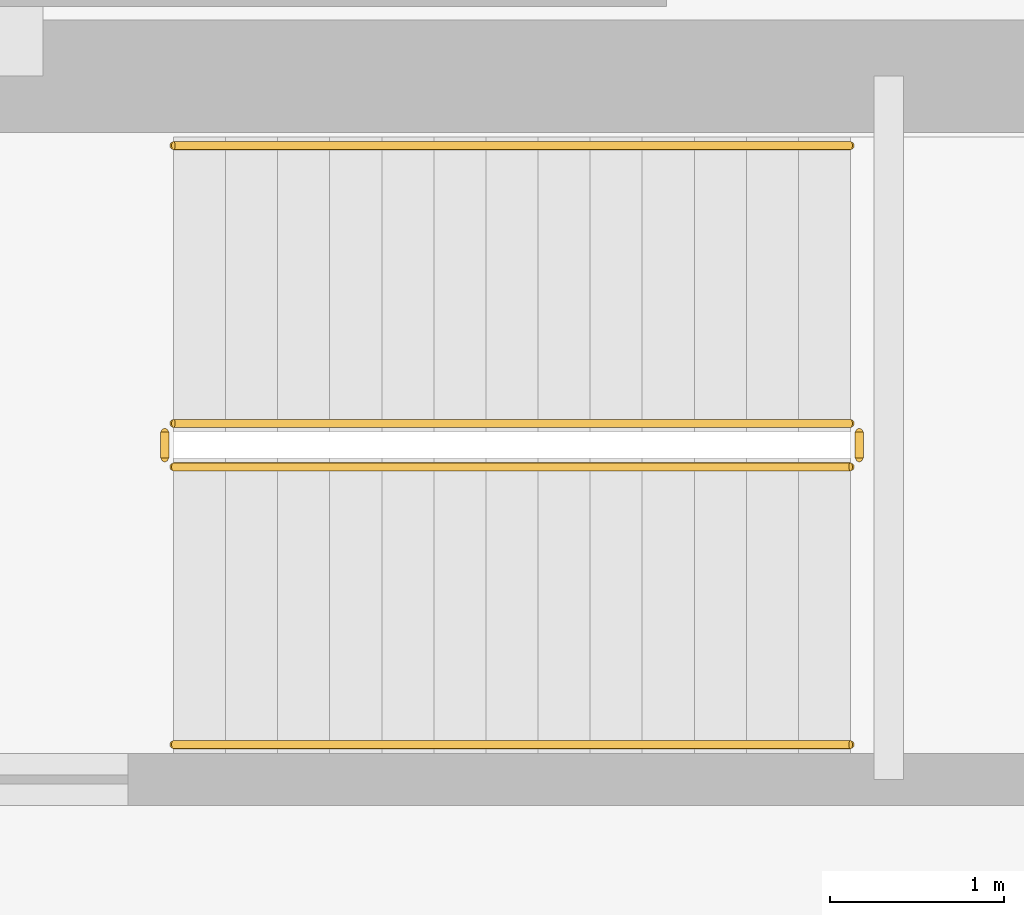
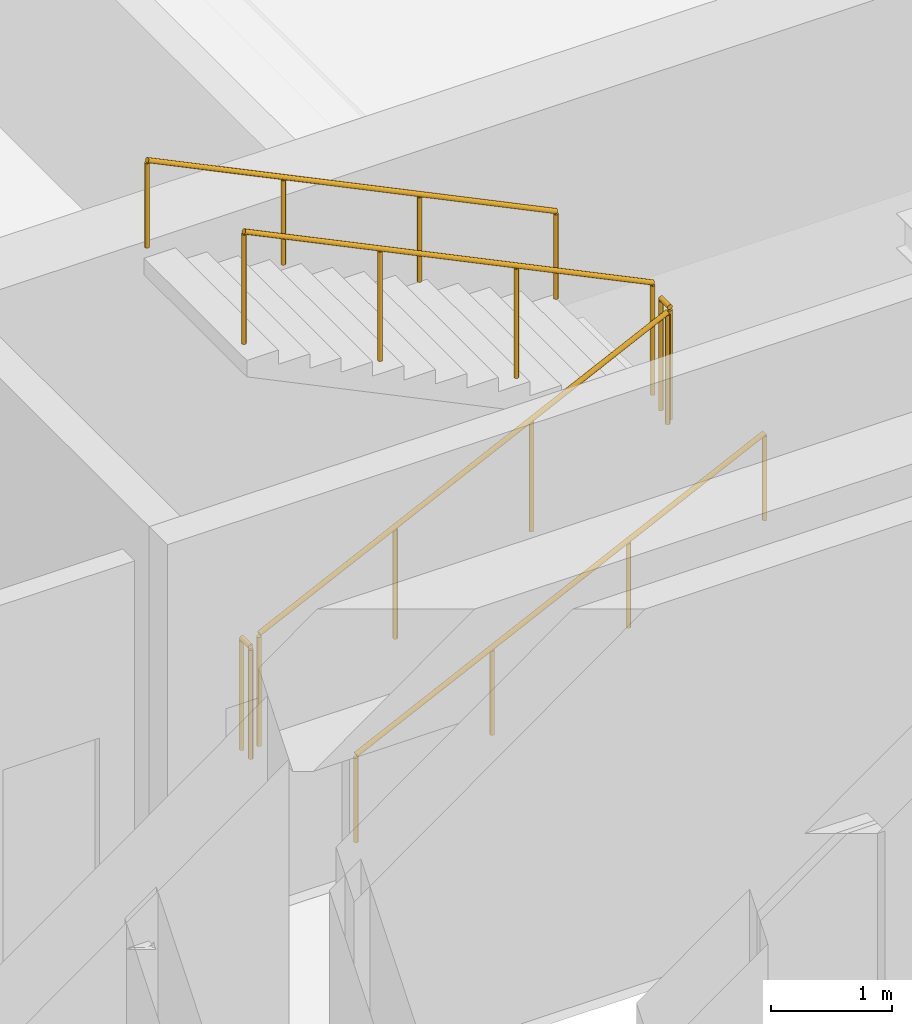
# One storey, part 42 of 47: 6 railings.
"""IFC4 building model written with IfcOpenShell, lengths in metres."""

from ifc_helpers import new_model, si_unit, direction, frame, origin, origin_2d, place, context, subcontext, project, spatial, circle, extrude, material, type_object, element, save


model = new_model("IFC4")

# Units and contexts
model_context = context("Model", 3, precision=1e-05, world=origin(), true_north=direction((0.0, 1.0)))
body_context = subcontext(model_context, "Body", "Model", "MODEL_VIEW")
ifc_project = project(units=[si_unit("LENGTHUNIT", "METRE"), si_unit("AREAUNIT", "SQUARE_METRE"), si_unit("VOLUMEUNIT", "CUBIC_METRE"), si_unit("PLANEANGLEUNIT", "RADIAN"), si_unit("MASSUNIT", "GRAM", prefix="KILO")], contexts=[model_context])

# Site, building, storey
site_placement = place(None, origin())
site = spatial("IfcSite", under=ifc_project, at=site_placement, CompositionType="ELEMENT")
building_placement = place(site_placement, origin())
building = spatial("IfcBuilding", under=site, at=building_placement, Name="Punatoya Terracotta Tower", CompositionType="ELEMENT")
storey_placement = place(building_placement, frame((0.0, 0.0, 168.14990234375)))
storey = spatial("IfcBuildingStorey", under=building, at=storey_placement, Name="L39", CompositionType="ELEMENT", Elevation=168.14990234375)

# Railings
ifc_material = material(Name="Steel S355", Category="steel")
railing_type_1 = type_object("IfcRailingType", Name="RLG-GRD-1150", PredefinedType="GUARDRAIL", material=ifc_material)
railing_1_placement = place(storey_placement, frame((-2.89990234375, 6.949951171875, 0.144775390625)))
element("IfcRailing", 1, at=railing_1_placement, inside=storey, type_object=railing_type_1, Name="L39 ST-3 stair guard 1", PredefinedType="GUARDRAIL", context=body_context, shape_type="SweptSolid", body=[
    extrude(circle(Radius=0.02392578125, at=origin_2d()), frame((0.0, 0.0, 1.1259765625), z_axis=(0.900763166376, 0.0, 0.434310623978), x_axis=(0.0, 1.0, 0.0)), (0.0, 0.0, 1.0), 4.32958984375),
    extrude(circle(Radius=0.02099609375, at=origin_2d()), origin(), (0.0, 0.0, 1.0), 1.101806640625),
    extrude(circle(Radius=0.02099609375, at=origin_2d()), frame((1.300048828125, 0.0, 0.626708984375)), (0.0, 0.0, 1.0), 1.101806640625),
    extrude(circle(Radius=0.02099609375, at=origin_2d()), frame((2.599853515625, 0.0, 1.253662109375)), (0.0, 0.0, 1.0), 1.101806640625),
    extrude(circle(Radius=0.02099609375, at=origin_2d()), frame((3.89990234375, 0.0, 1.88037109375)), (0.0, 0.0, 1.0), 1.101806640625),
])
railing_2_placement = place(storey_placement, frame((1.050048828125, 7.0, 2.025146484375)))
element("IfcRailing", 2, at=railing_2_placement, inside=storey, type_object=railing_type_1, Name="L39 ST-3 stair guard 2", PredefinedType="GUARDRAIL", context=body_context, shape_type="SweptSolid", body=[
    extrude(circle(Radius=0.02392578125, at=origin_2d()), frame((0.0, 0.0, 1.1259765625), z_axis=(0.0, 1.0, 0.0), x_axis=(-1.0, 0.0, 0.0)), (0.0, 0.0, 1.0), 0.14990234375),
    extrude(circle(Radius=0.02099609375, at=origin_2d()), origin(), (0.0, 0.0, 1.0), 1.101806640625),
    extrude(circle(Radius=0.02099609375, at=origin_2d()), frame((0.0, 0.14990234375, 0.0)), (0.0, 0.0, 1.0), 1.101806640625),
])
railing_3_placement = place(storey_placement, frame((1.0, 7.199951171875, 2.169677734375)))
element("IfcRailing", 3, at=railing_3_placement, inside=storey, type_object=railing_type_1, Name="L39 ST-3 stair guard 3", PredefinedType="GUARDRAIL", context=body_context, shape_type="SweptSolid", body=[
    extrude(circle(Radius=0.02392578125, at=origin_2d()), frame((0.0, 0.0, 1.1259765625), z_axis=(-0.900763166376, 0.0, 0.434310623978), x_axis=(0.0, -1.0, 0.0)), (0.0, 0.0, 1.0), 4.32958984375),
    extrude(circle(Radius=0.02099609375, at=origin_2d()), origin(), (0.0, 0.0, 1.0), 1.101806640625),
    extrude(circle(Radius=0.02099609375, at=origin_2d()), frame((-1.300048828125, 0.0, 0.626708984375)), (0.0, 0.0, 1.0), 1.101806640625),
    extrude(circle(Radius=0.02099609375, at=origin_2d()), frame((-2.599853515625, 0.0, 1.253662109375)), (0.0, 0.0, 1.0), 1.101806640625),
    extrude(circle(Radius=0.02099609375, at=origin_2d()), frame((-3.89990234375, 0.0, 1.88037109375)), (0.0, 0.0, 1.0), 1.101806640625),
])
railing_4_placement = place(storey_placement, frame((-2.949951171875, 7.0, 0.0)))
element("IfcRailing", 4, at=railing_4_placement, inside=storey, type_object=railing_type_1, Name="L39 ST-3 stair guard 4", PredefinedType="GUARDRAIL", context=body_context, shape_type="SweptSolid", body=[
    extrude(circle(Radius=0.02392578125, at=origin_2d()), frame((0.0, 0.0, 1.1259765625), z_axis=(0.0, 1.0, 0.0), x_axis=(-1.0, 0.0, 0.0)), (0.0, 0.0, 1.0), 0.14990234375),
    extrude(circle(Radius=0.02099609375, at=origin_2d()), origin(), (0.0, 0.0, 1.0), 1.101806640625),
    extrude(circle(Radius=0.02099609375, at=origin_2d()), frame((0.0, 0.14990234375, 0.0)), (0.0, 0.0, 1.0), 1.101806640625),
])
railing_type_2 = type_object("IfcRailingType", Name="RLG-HND-900", PredefinedType="HANDRAIL", material=ifc_material)
railing_5_placement = place(storey_placement, frame((-2.89990234375, 5.35009765625, 0.144775390625)))
element("IfcRailing", 5, at=railing_5_placement, inside=storey, type_object=railing_type_2, Name="L39 ST-3 stair handrail 1", PredefinedType="HANDRAIL", context=body_context, shape_type="SweptSolid", body=[
    extrude(circle(Radius=0.02392578125, at=origin_2d()), frame((0.0, 0.0, 0.8759765625), z_axis=(0.900763166376, 0.0, 0.434310623978), x_axis=(0.0, 1.0, 0.0)), (0.0, 0.0, 1.0), 4.32958984375),
    extrude(circle(Radius=0.02099609375, at=origin_2d()), origin(), (0.0, 0.0, 1.0), 0.851806640625),
    extrude(circle(Radius=0.02099609375, at=origin_2d()), frame((1.300048828125, 0.0, 0.626708984375)), (0.0, 0.0, 1.0), 0.851806640625),
    extrude(circle(Radius=0.02099609375, at=origin_2d()), frame((2.599853515625, 0.0, 1.253662109375)), (0.0, 0.0, 1.0), 0.851806640625),
    extrude(circle(Radius=0.02099609375, at=origin_2d()), frame((3.89990234375, 0.0, 1.88037109375)), (0.0, 0.0, 1.0), 0.851806640625),
])
railing_6_placement = place(storey_placement, frame((1.0, 8.800048828125, 2.169677734375)))
element("IfcRailing", 6, at=railing_6_placement, inside=storey, type_object=railing_type_2, Name="L39 ST-3 stair handrail 2", PredefinedType="HANDRAIL", context=body_context, shape_type="SweptSolid", body=[
    extrude(circle(Radius=0.02392578125, at=origin_2d()), frame((0.0, 0.0, 0.8759765625), z_axis=(-0.900763166376, 0.0, 0.434310623978), x_axis=(0.0, -1.0, 0.0)), (0.0, 0.0, 1.0), 4.32958984375),
    extrude(circle(Radius=0.02099609375, at=origin_2d()), origin(), (0.0, 0.0, 1.0), 0.851806640625),
    extrude(circle(Radius=0.02099609375, at=origin_2d()), frame((-1.300048828125, 0.0, 0.626708984375)), (0.0, 0.0, 1.0), 0.851806640625),
    extrude(circle(Radius=0.02099609375, at=origin_2d()), frame((-2.599853515625, 0.0, 1.253662109375)), (0.0, 0.0, 1.0), 0.851806640625),
    extrude(circle(Radius=0.02099609375, at=origin_2d()), frame((-3.89990234375, 0.0, 1.88037109375)), (0.0, 0.0, 1.0), 0.851806640625),
])

save(model, "model.ifc")
